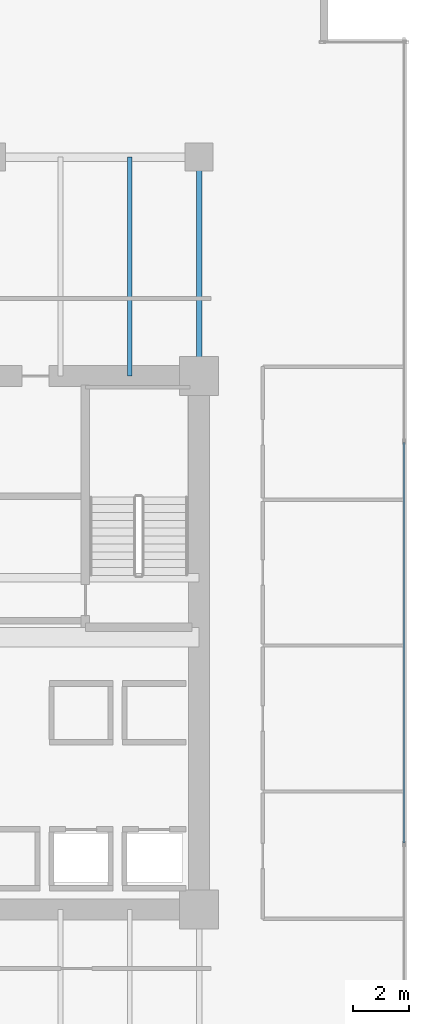
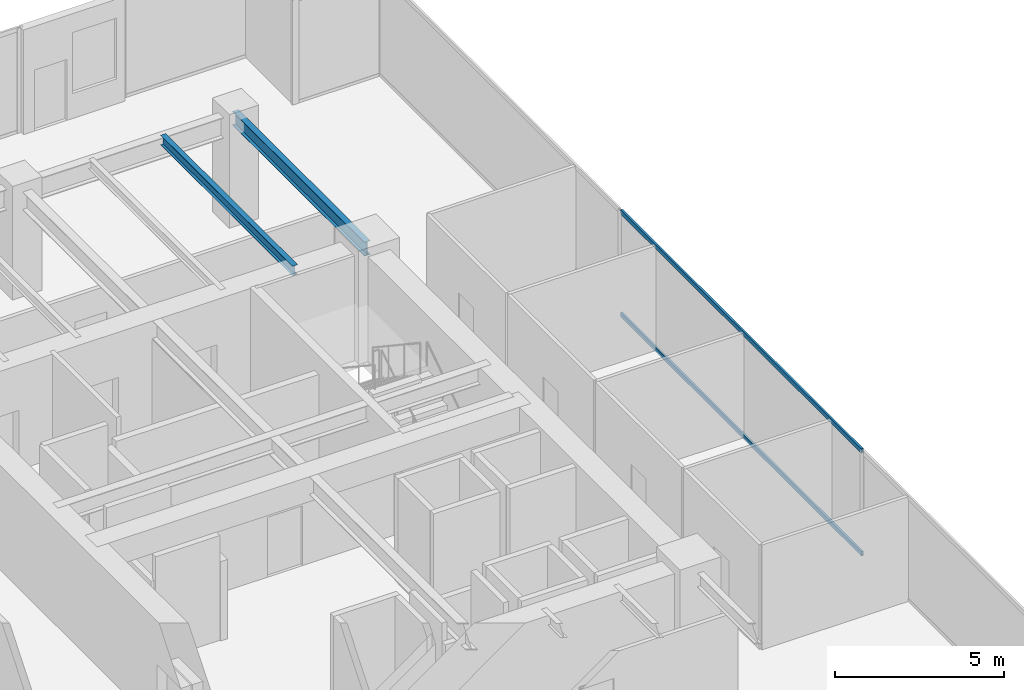
# One storey, part 21 of 31: 2 beams, 2 members, 1 element without a shape of its own.
"""IFC4 building model written with IfcOpenShell, lengths in metres."""

from ifc_helpers import new_model, si_unit, direction, frame, origin, origin_2d, place, context, subcontext, project, spatial, hollow_rectangle, i_section, extrude, source, transform, mapped, material, layer, layer_set, material_profile, profile_set, type_object, type_shapes, element, aggregate, save


model = new_model("IFC4")

# Units and contexts
model_context = context("Model", 3, precision=1e-05, world=origin(), true_north=direction((0.0, 1.0)))
body_context = subcontext(model_context, "Body", "Model", "MODEL_VIEW")
ifc_project = project(units=[si_unit("LENGTHUNIT", "METRE"), si_unit("AREAUNIT", "SQUARE_METRE"), si_unit("VOLUMEUNIT", "CUBIC_METRE"), si_unit("PLANEANGLEUNIT", "RADIAN"), si_unit("MASSUNIT", "GRAM", prefix="KILO")], contexts=[model_context])

# Site, building, storey
site_placement = place(None, origin())
site = spatial("IfcSite", under=ifc_project, at=site_placement, CompositionType="ELEMENT")
building_placement = place(site_placement, origin())
building = spatial("IfcBuilding", under=site, at=building_placement, Name="Haelvirn Gate Laboratories", CompositionType="ELEMENT")
storey_placement = place(building_placement, frame((0.0, 0.0, 62.10009765625)))
storey = spatial("IfcBuildingStorey", under=building, at=storey_placement, Name="L15", CompositionType="ELEMENT", Elevation=62.10009765625)

# Beams
ifc_material_1 = material(Name="Steel SM355", Category="steel")
ifc_material_profile_1 = material_profile(ifc_material_1, i_section(OverallWidth=0.199951171875, OverallDepth=0.5, WebThickness=0.010009765625, FlangeThickness=0.01611328125, at=origin_2d()), Name="H-500x200x10x16")
ifc_profile_set_1 = profile_set([ifc_material_profile_1], Name="Steel SM355")
beam_type_1 = type_object("IfcBeamType", Name="BM-SP-500", PredefinedType="SPANDREL", material=ifc_profile_set_1)
shared_shape_1 = source(origin(), body_context, "Body", "SweptSolid", [
    extrude(i_section(OverallWidth=0.199951171875, OverallDepth=0.5, WebThickness=0.010009765625, FlangeThickness=0.01611328125, at=origin_2d()), origin(), (0.0, 0.0, 1.0), 7.800048828125),
])
type_shapes(beam_type_1, [shared_shape_1])
beam_1_placement = place(storey_placement, frame((67.39990234375, 33.800048828125, 3.52978515625), z_axis=(0.0, 1.0, 0.0), x_axis=(-1.0, 0.0, 0.0)))
element("IfcBeam", 1, at=beam_1_placement, inside=storey, type_object=beam_type_1, Name="L15 Perimeter Spandrel X67.4 (33.8-41.6)", PredefinedType="SPANDREL", context=body_context, shape_type="MappedRepresentation", body=[
    mapped(shared_shape_1, transform((0.0, 0.0, 0.0), scale=1.0)),
])
ifc_material_profile_2 = material_profile(ifc_material_1, i_section(OverallWidth=0.175048828125, OverallDepth=0.35009765625, WebThickness=0.007080078125, FlangeThickness=0.010986328125, at=origin_2d()), Name="H-350x175x7x11")
ifc_profile_set_2 = profile_set([ifc_material_profile_2], Name="Steel SM355")
beam_type_2 = type_object("IfcBeamType", Name="BM-J-350", PredefinedType="JOIST", material=ifc_profile_set_2)
shared_shape_2 = source(origin(), body_context, "Body", "SweptSolid", [
    extrude(i_section(OverallWidth=0.175048828125, OverallDepth=0.35009765625, WebThickness=0.007080078125, FlangeThickness=0.010986328125, at=origin_2d()), origin(), (0.0, 0.0, 1.0), 7.800048828125),
])
type_shapes(beam_type_2, [shared_shape_2])
beam_2_placement = place(storey_placement, frame((64.929931640625, 33.800048828125, 3.60498046875), z_axis=(0.0, 1.0, 0.0), x_axis=(-1.0, 0.0, 0.0)))
element("IfcBeam", 2, at=beam_2_placement, inside=storey, type_object=beam_type_2, Name="L15 Composite Lab Joist North X64.93", PredefinedType="JOIST", context=body_context, shape_type="MappedRepresentation", body=[
    mapped(shared_shape_2, transform((0.0, 0.0, 0.0), scale=1.0)),
])

# Curtain wall, members
ifc_material_2 = material(Name="Anodised bronze unitised aluminium & triple low-E glass", Category="aluminium")
ifc_layer = layer(ifc_material_2, 0.18408203125, Name="CW-SYS-2")
ifc_layer_set = layer_set([ifc_layer], Name="Anodised bronze unitised aluminium & triple low-E glass")
curtain_wall_type = type_object("IfcCurtainWallType", Name="CW-SYS-2", PredefinedType="NOTDEFINED", material=ifc_layer_set)
curtain_wall_placement = place(storey_placement, origin())
curtain_wall = element("IfcCurtainWall", 3, at=curtain_wall_placement, inside=storey, type_object=curtain_wall_type, Name="L15 Unitised Curtain Wall CW-L15-P0-E07", PredefinedType="NOTDEFINED")
ifc_material_3 = material(Name="Extruded aluminium 6063-T6 (anodised bronze)", Category="aluminium")
ifc_material_profile_3 = material_profile(ifc_material_3, hollow_rectangle(XDim=0.070068359375, YDim=0.159912109375, WallThickness=0.0048828125, at=origin_2d()), Name="CWT-160x70x5")
ifc_profile_set_3 = profile_set([ifc_material_profile_3], Name="Extruded aluminium 6063-T6 (anodised bronze)")
member_type = type_object("IfcMemberType", Name="CWT-T160", PredefinedType="USERDEFINED", material=ifc_profile_set_3)
shared_shape_3 = source(origin(), body_context, "Body", "SweptSolid", [
    extrude(hollow_rectangle(XDim=0.070068359375, YDim=0.159912109375, WallThickness=0.0048828125, at=origin_2d()), origin(), (0.0, 0.0, 1.0), 14.25830078125),
])
type_shapes(member_type, [shared_shape_3])
member_1_placement = place(storey_placement, frame((74.699951171875, 17.1708984375, 0.034912109375), z_axis=(0.0, 1.0, 0.0), x_axis=(-1.0, 0.0, 0.0)))
member_1 = element("IfcMember", 4, at=member_1_placement, type_object=member_type, Name="CW2 transom 2.1", ObjectType="TRANSOM", PredefinedType="USERDEFINED", context=body_context, shape_type="MappedRepresentation", body=[
    mapped(shared_shape_3, transform((0.0, 0.0, 0.0), scale=1.0)),
])
member_2_placement = place(storey_placement, frame((74.699951171875, 17.1708984375, 3.744873046875), z_axis=(0.0, 1.0, 0.0), x_axis=(-1.0, 0.0, 0.0)))
member_2 = element("IfcMember", 5, at=member_2_placement, type_object=member_type, Name="CW2 transom 2.2", ObjectType="TRANSOM", PredefinedType="USERDEFINED", context=body_context, shape_type="MappedRepresentation", body=[
    mapped(shared_shape_3, transform((0.0, 0.0, 0.0), scale=1.0)),
])
aggregate(curtain_wall, [member_1, member_2])

save(model, "model.ifc")
